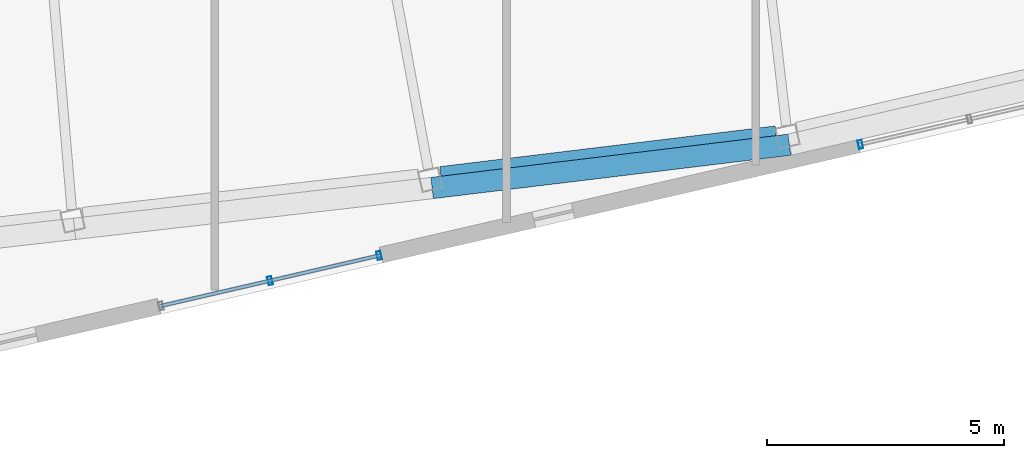
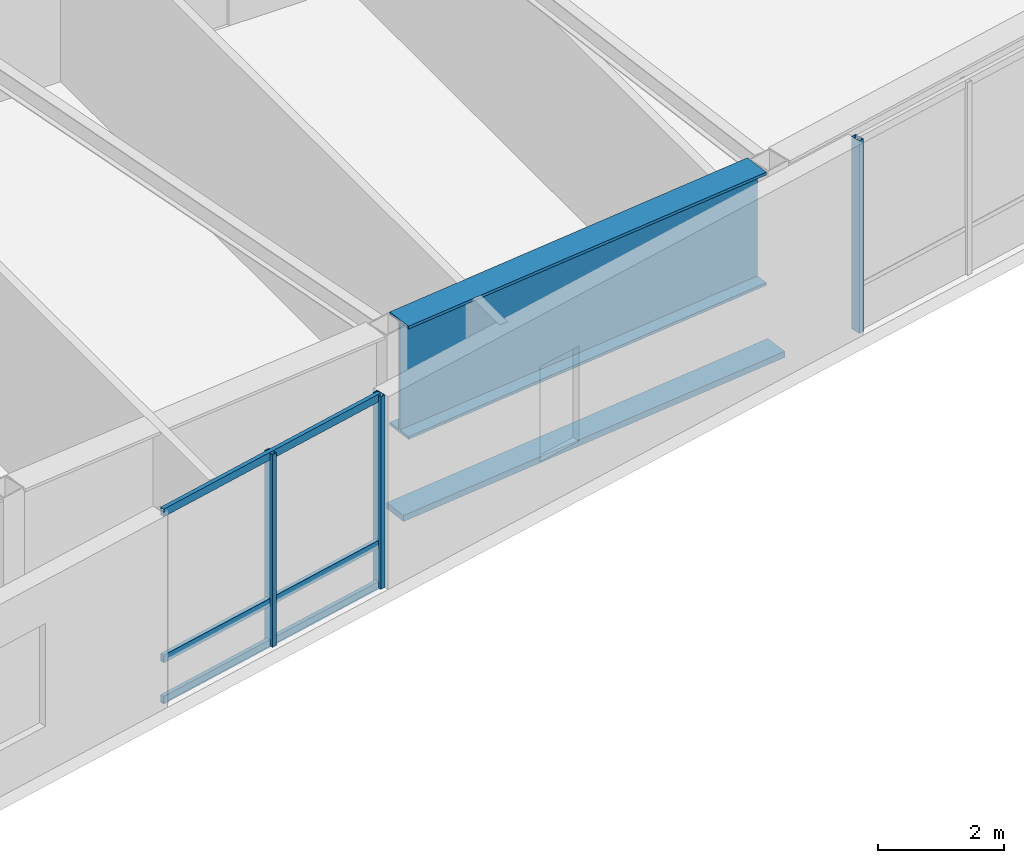
# One storey, part 7 of 23: 7 members, 1 beam, 2 elements without a shape of their own.
"""IFC4 building model written with IfcOpenShell, lengths in metres."""

from ifc_helpers import new_model, si_unit, direction, frame, origin, origin_2d, place, context, subcontext, project, spatial, rectangle, hollow_rectangle, i_section, extrude, material, layer, layer_set, material_profile, profile_set, type_object, element, aggregate, save


model = new_model("IFC4")

# Units and contexts
model_context = context("Model", 3, precision=1e-05, world=origin(), true_north=direction((0.0, 1.0)))
body_context = subcontext(model_context, "Body", "Model", "MODEL_VIEW")
ifc_project = project(units=[si_unit("LENGTHUNIT", "METRE"), si_unit("AREAUNIT", "SQUARE_METRE"), si_unit("VOLUMEUNIT", "CUBIC_METRE"), si_unit("PLANEANGLEUNIT", "RADIAN"), si_unit("MASSUNIT", "GRAM", prefix="KILO")], contexts=[model_context])

# Site, building, storey
site_placement = place(None, origin())
site = spatial("IfcSite", under=ifc_project, at=site_placement, CompositionType="ELEMENT")
building_placement = place(site_placement, origin())
building = spatial("IfcBuilding", under=site, at=building_placement, Name="Tavrogorsk Clinical Tower", CompositionType="ELEMENT")
storey_placement = place(building_placement, frame((0.0, 0.0, 305.0)))
storey = spatial("IfcBuildingStorey", under=building, at=storey_placement, Name="L71", CompositionType="ELEMENT", Elevation=305.0)

# Member
ifc_material_1 = material(Name="Anodised aluminium alloy AW-6063", Category="aluminium")
ifc_material_profile_1 = material_profile(ifc_material_1, rectangle(XDim=0.449951171875, YDim=0.1201171875, at=origin_2d()), Name="ALU-SUNSHADE-450x120")
ifc_profile_set_1 = profile_set([ifc_material_profile_1], Name="Anodised aluminium alloy AW-6063")
member_type_1 = type_object("IfcMemberType", Name="ChicagoSunshade_450x120", PredefinedType="USERDEFINED", material=ifc_profile_set_1)
member_1_placement = place(storey_placement, frame((-1.217041015625, -23.485107421875, 0.179931640625), z_axis=(0.992736345015, 0.120310221037, 0.0), x_axis=(-0.120310221037, 0.992736345015, 0.0)))
element("IfcMember", 1, at=member_1_placement, inside=storey, type_object=member_type_1, Name="L71 South Aluminium Sunshade S4", ObjectType="SUNSHADE", PredefinedType="USERDEFINED", context=body_context, shape_type="SweptSolid", body=[
    extrude(rectangle(XDim=0.449951171875, YDim=0.1201171875, at=origin_2d()), origin(), (0.0, 0.0, 1.0), 7.58544921875),
])

# Curtain wall, members
ifc_material_2 = material(Name="Anodised aluminium and triple IGU glazing", Category="aluminium")
ifc_layer = layer(ifc_material_2, 0.179931640625)
ifc_layer_set = layer_set([ifc_layer], Name="Anodised aluminium and triple IGU glazing")
curtain_wall_type = type_object("IfcCurtainWallType", Name="CW3_SouthSlot", PredefinedType="NOTDEFINED", material=ifc_layer_set)
curtain_wall_1_placement = place(storey_placement, origin())
curtain_wall_1 = element("IfcCurtainWall", 2, at=curtain_wall_1_placement, inside=storey, type_object=curtain_wall_type, Name="L71 Curtain Wall CW-L71-S-SLOT-1", PredefinedType="NOTDEFINED")
ifc_material_3 = material(Name="Anodised aluminium alloy AW-6060", Category="aluminium")
ifc_material_profile_2 = material_profile(ifc_material_3, hollow_rectangle(XDim=0.090087890625, YDim=0.179931640625, WallThickness=0.00634765625, at=origin_2d()), Name="RHS-180x90x6.3")
ifc_profile_set_2 = profile_set([ifc_material_profile_2], Name="Anodised aluminium alloy AW-6060")
member_type_2 = type_object("IfcMemberType", Name="CwMullion_180x90", PredefinedType="MULLION", material=ifc_profile_set_2)
member_2_placement = place(storey_placement, frame((-4.633544921875, -25.438232421875, 0.0), z_axis=(0.0, 0.0, 1.0), x_axis=(0.974370057377, 0.224951086434, 0.0)))
member_2 = element("IfcMember", 3, at=member_2_placement, type_object=member_type_2, Name="CW-L71-S-SLOT-1 Mullion 2", PredefinedType="MULLION", context=body_context, shape_type="SweptSolid", body=[
    extrude(hollow_rectangle(XDim=0.090087890625, YDim=0.179931640625, WallThickness=0.00634765625, at=origin_2d()), origin(), (0.0, 0.0, 1.0), 3.739990234375),
])
member_3_placement = place(storey_placement, frame((-2.3349609375, -24.90771484375, 0.0), z_axis=(0.0, 0.0, 1.0), x_axis=(0.974370057377, 0.224951086434, 0.0)))
member_3 = element("IfcMember", 4, at=member_3_placement, type_object=member_type_2, Name="CW-L71-S-SLOT-1 Mullion 3", PredefinedType="MULLION", context=body_context, shape_type="SweptSolid", body=[
    extrude(hollow_rectangle(XDim=0.090087890625, YDim=0.179931640625, WallThickness=0.00634765625, at=origin_2d()), origin(), (0.0, 0.0, 1.0), 3.739990234375),
])

# Curtain wall, member
curtain_wall_2_placement = place(storey_placement, origin())
curtain_wall_2 = element("IfcCurtainWall", 5, at=curtain_wall_2_placement, inside=storey, type_object=curtain_wall_type, Name="L71 Curtain Wall CW-L71-S-SLOT-2", PredefinedType="NOTDEFINED")
member_4_placement = place(storey_placement, frame((7.80810546875, -22.56591796875, 0.0), z_axis=(0.0, 0.0, 1.0), x_axis=(0.974370057377, 0.224951086434, 0.0)))
member_4 = element("IfcMember", 6, at=member_4_placement, type_object=member_type_2, Name="CW-L71-S-SLOT-2 Mullion 1", PredefinedType="MULLION", context=body_context, shape_type="SweptSolid", body=[
    extrude(hollow_rectangle(XDim=0.090087890625, YDim=0.179931640625, WallThickness=0.00634765625, at=origin_2d()), origin(), (0.0, 0.0, 1.0), 3.739990234375),
])
aggregate(curtain_wall_2, [member_4])

# Member
ifc_material_4 = material(Name="Anodised aluminium alloy AW-6060", Category="aluminium")
ifc_material_profile_3 = material_profile(ifc_material_4, hollow_rectangle(XDim=0.074951171875, YDim=0.14990234375, WallThickness=0.0048828125, at=origin_2d()), Name="RHS-150x75x5")
ifc_profile_set_3 = profile_set([ifc_material_profile_3], Name="Anodised aluminium alloy AW-6060")
member_type_3 = type_object("IfcMemberType", Name="CwTransom_150x75", PredefinedType="USERDEFINED", material=ifc_profile_set_3)
member_5_placement = place(storey_placement, frame((-6.93212890625, -25.968994140625, 0.050048828125), z_axis=(0.974372877948, 0.22493886885, 0.0), x_axis=(-0.22493886885, 0.974372877948, 0.0)))
member_5 = element("IfcMember", 7, at=member_5_placement, type_object=member_type_3, Name="CW-L71-S-SLOT-1 Transom 1", ObjectType="TRANSOM", PredefinedType="USERDEFINED", context=body_context, shape_type="SweptSolid", body=[
    extrude(hollow_rectangle(XDim=0.074951171875, YDim=0.14990234375, WallThickness=0.0048828125, at=origin_2d()), origin(), (0.0, 0.0, 1.0), 4.718017578125),
])

member_6_placement = place(storey_placement, frame((-6.93212890625, -25.968994140625, 0.85009765625), z_axis=(0.974372877948, 0.22493886885, 0.0), x_axis=(-0.22493886885, 0.974372877948, 0.0)))
member_6 = element("IfcMember", 8, at=member_6_placement, type_object=member_type_3, Name="CW-L71-S-SLOT-1 Transom 2", ObjectType="TRANSOM", PredefinedType="USERDEFINED", context=body_context, shape_type="SweptSolid", body=[
    extrude(hollow_rectangle(XDim=0.074951171875, YDim=0.14990234375, WallThickness=0.0048828125, at=origin_2d()), origin(), (0.0, 0.0, 1.0), 4.718017578125),
])

member_7_placement = place(storey_placement, frame((-6.93212890625, -25.968994140625, 3.68994140625), z_axis=(0.974372877948, 0.22493886885, 0.0), x_axis=(-0.22493886885, 0.974372877948, 0.0)))
member_7 = element("IfcMember", 9, at=member_7_placement, type_object=member_type_3, Name="CW-L71-S-SLOT-1 Transom 3", ObjectType="TRANSOM", PredefinedType="USERDEFINED", context=body_context, shape_type="SweptSolid", body=[
    extrude(hollow_rectangle(XDim=0.074951171875, YDim=0.14990234375, WallThickness=0.0048828125, at=origin_2d()), origin(), (0.0, 0.0, 1.0), 4.718017578125),
])

aggregate(curtain_wall_1, [member_2, member_3, member_5, member_6, member_7])

# Beam
ifc_material_5 = material(Name="Structural steel S440", Category="steel")
ifc_material_profile_4 = material_profile(ifc_material_5, i_section(OverallWidth=0.5, OverallDepth=2.199951171875, WebThickness=0.035888671875, FlangeThickness=0.054931640625, at=origin_2d()), Name="DK-2200x500x36x55")
ifc_profile_set_4 = profile_set([ifc_material_profile_4], Name="Structural steel S440")
beam_type = type_object("IfcBeamType", Name="TransferGirder_DK2200", PredefinedType="USERDEFINED", material=ifc_profile_set_4)
beam_placement = place(storey_placement, frame((-1.026123046875, -23.28173828125, 2.639892578125), z_axis=(0.992733657897, 0.120332391639, 0.0), x_axis=(-0.120332391639, 0.992733657897, 0.0)))
element("IfcBeam", 10, at=beam_placement, inside=storey, type_object=beam_type, Name="L71 Perimeter Spandrel S4-S5", ObjectType="GIRDER", PredefinedType="USERDEFINED", context=body_context, shape_type="SweptSolid", body=[
    extrude(i_section(OverallWidth=0.5, OverallDepth=2.199951171875, WebThickness=0.035888671875, FlangeThickness=0.054931640625, at=origin_2d()), origin(), (0.0, 0.0, 1.0), 7.119384765625),
])

save(model, "model.ifc")
